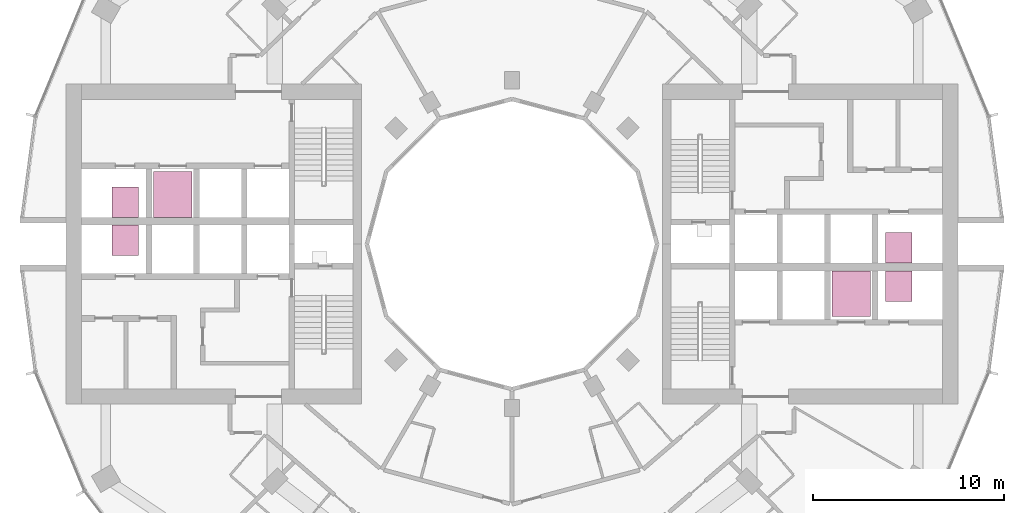
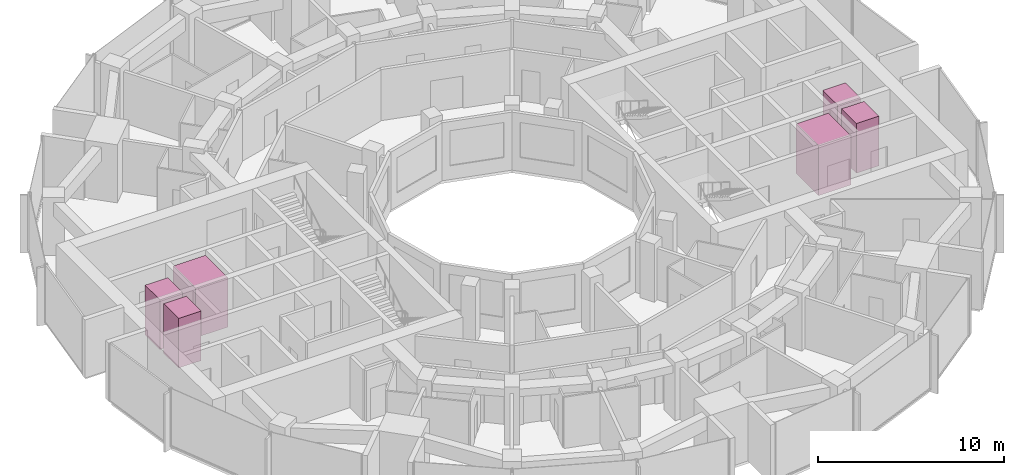
# One storey, part 15 of 15: 6 transport elements.
"""IFC4 building model written with IfcOpenShell, lengths in metres."""

from ifc_helpers import new_model, si_unit, direction, frame, origin, origin_2d, place, context, subcontext, project, spatial, rectangle, extrude, material, type_object, element, save


model = new_model("IFC4")

# Units and contexts
model_context = context("Model", 3, precision=1e-05, world=origin(), true_north=direction((0.0, 1.0)))
body_context = subcontext(model_context, "Body", "Model", "MODEL_VIEW")
ifc_project = project(units=[si_unit("LENGTHUNIT", "METRE"), si_unit("AREAUNIT", "SQUARE_METRE"), si_unit("VOLUMEUNIT", "CUBIC_METRE"), si_unit("PLANEANGLEUNIT", "RADIAN"), si_unit("MASSUNIT", "GRAM", prefix="KILO")], contexts=[model_context])

# Site, building, storey
site_placement = place(None, origin())
site = spatial("IfcSite", under=ifc_project, at=site_placement, CompositionType="ELEMENT")
building_placement = place(site_placement, origin())
building = spatial("IfcBuilding", under=site, at=building_placement, Name="Torre Brocal", CompositionType="ELEMENT")
storey_placement = place(building_placement, frame((0.0, 0.0, 44.0)))
storey = spatial("IfcBuildingStorey", under=building, at=storey_placement, Name="L09", CompositionType="ELEMENT", Elevation=44.0)

# Transport elements
ifc_material_1 = material(Name="Stainless steel AISI 316", Category="steel")
transport_element_type_1 = type_object("IfcTransportElementType", Name="PASSENGER LIFT 2000", PredefinedType="ELEVATOR", material=ifc_material_1)
for number, where, z_axis, x_axis, name in (
    (1, (97.800048828125, 72.39990234375, 0.0), (0.0, 0.0, 1.0), (1.0, 0.0, 0.0), "LOW RISE LIFT E-LR2"),
    (2, (62.199951171875, 77.60009765625, 0.0), (0.0, 0.0, 1.0), (1.0, 0.0, 0.0), "LOW RISE LIFT W-LR2"),
):
    element("IfcTransportElement", number, at=place(storey_placement, frame(where, z_axis=z_axis, x_axis=x_axis)), inside=storey, type_object=transport_element_type_1, Name=name, PredefinedType="ELEVATOR", context=body_context, shape_type="SweptSolid", body=[
        extrude(rectangle(XDim=2.0, YDim=2.39990234375, at=origin_2d()), origin(), (0.0, 0.0, 1.0), 3.25),
    ])
ifc_material_2 = material(Name="Stainless steel AISI 316", Category="steel")
transport_element_type_2 = type_object("IfcTransportElementType", Name="PASSENGER LIFT 900", PredefinedType="ELEVATOR", material=ifc_material_2)
for number, where, z_axis, x_axis, name in (
    (3, (100.300048828125, 74.800048828125, 0.0), (0.0, 0.0, 1.0), (1.0, 0.0, 0.0), "LOW RISE LIFT E-LR1"),
    (4, (100.300048828125, 72.800048828125, 0.0), (0.0, 0.0, 1.0), (1.0, 0.0, 0.0), "LOW RISE LIFT E-LR3"),
    (5, (59.699951171875, 75.199951171875, 0.0), (0.0, 0.0, 1.0), (1.0, 0.0, 0.0), "LOW RISE LIFT W-LR1"),
    (6, (59.699951171875, 77.199951171875, 0.0), (0.0, 0.0, 1.0), (1.0, 0.0, 0.0), "LOW RISE LIFT W-LR3"),
):
    element("IfcTransportElement", number, at=place(storey_placement, frame(where, z_axis=z_axis, x_axis=x_axis)), inside=storey, type_object=transport_element_type_2, Name=name, PredefinedType="ELEVATOR", context=body_context, shape_type="SweptSolid", body=[
        extrude(rectangle(XDim=1.39990234375, YDim=1.60009765625, at=origin_2d()), origin(), (0.0, 0.0, 1.0), 3.25),
    ])

save(model, "model.ifc")
